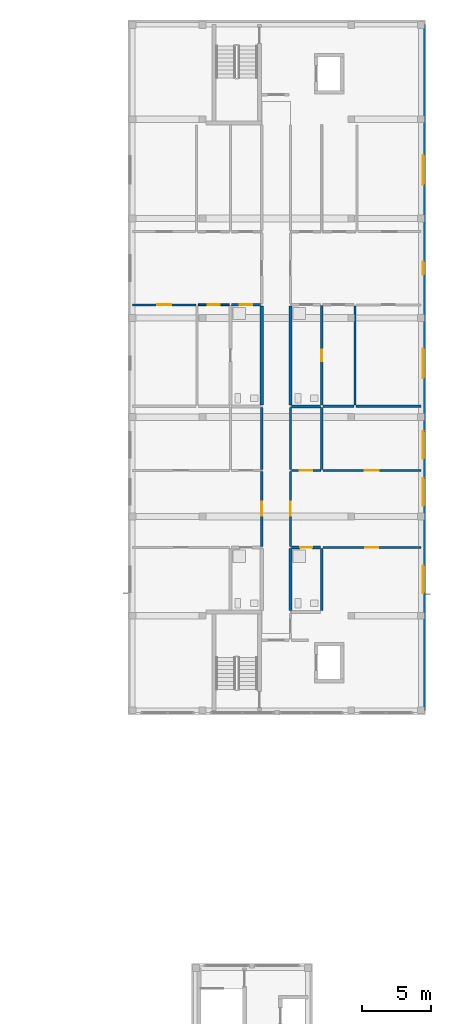
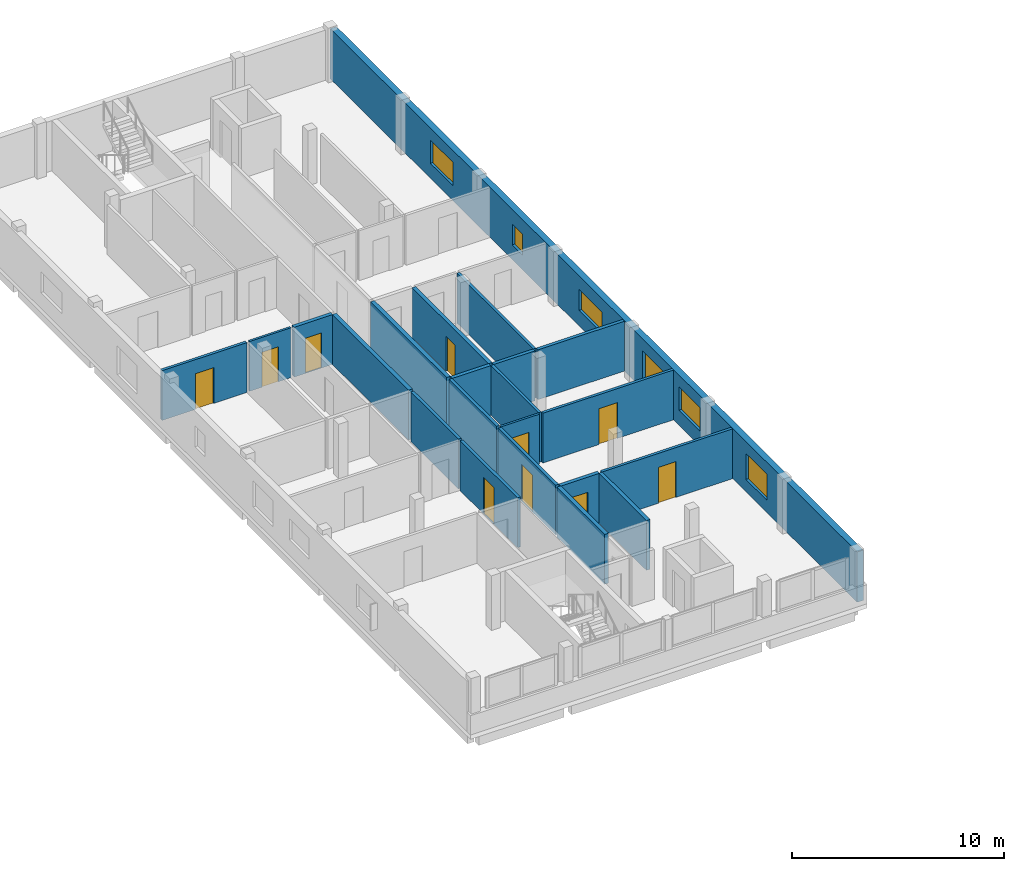
# One storey, part 17 of 28: 22 walls, 10 doors, 6 windows, 16 openings.
"""IFC4 building model written with IfcOpenShell, lengths in metres."""

from ifc_helpers import new_model, si_unit, derived_unit, direction, frame, frame_2d, origin, place, context, subcontext, project, spatial, rectangle, extrude, material, layer, layer_set, type_object, element, fill, save


model = new_model("IFC4")

# Units and contexts
model_context = context("Model", 3, precision=1e-05, world=origin(), true_north=direction((0.0, 1.0)))
body_context = subcontext(model_context, "Body", "Model", "MODEL_VIEW")
ifc_project = project(units=[si_unit("LENGTHUNIT", "METRE"), si_unit("AREAUNIT", "SQUARE_METRE"), si_unit("VOLUMEUNIT", "CUBIC_METRE"), si_unit("PLANEANGLEUNIT", "RADIAN"), si_unit("MASSUNIT", "GRAM", prefix="KILO"), derived_unit("THERMALTRANSMITTANCEUNIT", [(si_unit("MASSUNIT", "GRAM", prefix="KILO"), 1), (si_unit("TIMEUNIT", "SECOND"), -3), (si_unit("THERMODYNAMICTEMPERATUREUNIT", "KELVIN"), -1)])], contexts=[model_context])

# Site, building, storey
site_placement = place(None, origin())
site = spatial("IfcSite", under=ifc_project, at=site_placement, CompositionType="ELEMENT")
building_placement = place(site_placement, origin())
building = spatial("IfcBuilding", under=site, at=building_placement, Name="Ochrekiln Boulevard Commons", CompositionType="ELEMENT")
storey_placement = place(building_placement, frame((0.0, 0.0, 34.125)))
storey = spatial("IfcBuildingStorey", under=building, at=storey_placement, Name="L10", CompositionType="ELEMENT", Elevation=34.125)

# Wall, openings, windows
ifc_material_1 = material(Name="Iron-spot brown clinker brick masonry ASTM C216 Grade SW", Category="masonry")
ifc_layer_1 = layer(ifc_material_1, 0.340087890625)
ifc_layer_set_1 = layer_set([ifc_layer_1], Name="Iron-spot brown clinker brick masonry ASTM C216 Grade SW")
wall_type_1 = type_object("IfcWallType", Name="WL-EXT-IRON-340", PredefinedType="SOLIDWALL", material=ifc_layer_set_1)
wall_1_placement = place(storey_placement, frame((172.6298828125, 68.739990234375, 0.0), z_axis=(0.0, 0.0, 1.0), x_axis=(0.0, 1.0, 0.0)))
wall_1 = element("IfcWall", 1, at=wall_1_placement, inside=storey, type_object=wall_type_1, Name="Block B L10 E Exterior Wall", PredefinedType="SOLIDWALL", context=body_context, shape_type="SweptSolid", body=[
    extrude(rectangle(XDim=49.719970703125, YDim=0.340087890625, at=frame_2d((24.85986328125, 0.0))), origin(), (0.0, 0.0, 1.0), 2.889892578125),
])
opening_1_placement = place(wall_1_placement, frame((14.824951171875, 0.0, 0.85498046875)))
opening_1 = element("IfcOpeningElement", 2, at=opening_1_placement, cuts=wall_1, Name="Opening W-47", PredefinedType="OPENING", context=body_context, shape_type="SweptSolid", body=[
    extrude(rectangle(XDim=2.0, YDim=1.35009765625, at=frame_2d((1.0, 0.675048828125))), frame((0.0, 0.179931640625, 0.0), z_axis=(0.0, -1.0, 0.0), x_axis=(1.0, 0.0, 0.0)), (0.0, 0.0, 1.0), 0.360107421875),
])
opening_2_placement = place(wall_1_placement, frame((8.498046875, 0.0, 0.705078125)))
opening_2 = element("IfcOpeningElement", 3, at=opening_2_placement, cuts=wall_1, Name="Opening W-48", PredefinedType="OPENING", context=body_context, shape_type="SweptSolid", body=[
    extrude(rectangle(XDim=2.0, YDim=1.5, at=frame_2d((1.0, 0.75))), frame((0.0, 0.179931640625, 0.0), z_axis=(0.0, -1.0, 0.0), x_axis=(1.0, 0.0, 0.0)), (0.0, 0.0, 1.0), 0.360107421875),
])
opening_3_placement = place(wall_1_placement, frame((18.235107421875, 0.0, 0.554931640625)))
opening_3 = element("IfcOpeningElement", 4, at=opening_3_placement, cuts=wall_1, Name="Opening W-49", PredefinedType="OPENING", context=body_context, shape_type="SweptSolid", body=[
    extrude(rectangle(XDim=2.0, YDim=1.64990234375, at=frame_2d((1.0, 0.824951171875))), frame((0.0, 0.179931640625, 0.0), z_axis=(0.0, -1.0, 0.0), x_axis=(1.0, 0.0, 0.0)), (0.0, 0.0, 1.0), 0.360107421875),
])
opening_4_placement = place(wall_1_placement, frame((31.5849609375, 0.0, 0.85009765625)))
opening_4 = element("IfcOpeningElement", 5, at=opening_4_placement, cuts=wall_1, Name="Opening W-01", PredefinedType="OPENING", context=body_context, shape_type="SweptSolid", body=[
    extrude(rectangle(XDim=0.949951171875, YDim=1.199951171875, at=frame_2d((0.47509765625, 0.60009765625))), frame((0.0, 0.179931640625, 0.0), z_axis=(0.0, -1.0, 0.0), x_axis=(1.0, 0.0, 0.0)), (0.0, 0.0, 1.0), 0.360107421875),
])
opening_5_placement = place(wall_1_placement, frame((24.0869140625, 0.0, 0.89990234375)))
opening_5 = element("IfcOpeningElement", 6, at=opening_5_placement, cuts=wall_1, Name="Opening W-51", PredefinedType="OPENING", context=body_context, shape_type="SweptSolid", body=[
    extrude(rectangle(XDim=2.14990234375, YDim=1.199951171875, at=frame_2d((1.074951171875, 0.60009765625))), frame((0.0, 0.179931640625, 0.0), z_axis=(0.0, -1.0, 0.0), x_axis=(1.0, 0.0, 0.0)), (0.0, 0.0, 1.0), 0.360107421875),
])
opening_6_placement = place(wall_1_placement, frame((38.1201171875, 0.0, 0.85498046875)))
opening_6 = element("IfcOpeningElement", 7, at=opening_6_placement, cuts=wall_1, Name="Opening W-52", PredefinedType="OPENING", context=body_context, shape_type="SweptSolid", body=[
    extrude(rectangle(XDim=2.14990234375, YDim=1.35009765625, at=frame_2d((1.074951171875, 0.675048828125))), frame((0.0, 0.179931640625, 0.0), z_axis=(0.0, -1.0, 0.0), x_axis=(1.0, 0.0, 0.0)), (0.0, 0.0, 1.0), 0.360107421875),
])
ifc_material_2 = material(Name="Thermally broken aluminium-clad oak frame", Category="aluminium")
window_type_1 = type_object("IfcWindowType", Name="WIN-EXT-01", PartitioningType="SINGLE_PANEL", PredefinedType="WINDOW", material=ifc_material_2)
window_1_placement = place(opening_4_placement, origin())
window_1 = element("IfcWindow", 8, at=window_1_placement, inside=storey, type_object=window_type_1, Name="Block B L10 Punched Masonry Window W-01", OverallHeight=1.199951171875, OverallWidth=0.949951171875, PartitioningType="SINGLE_PANEL", PredefinedType="WINDOW", context=body_context, shape_type="SweptSolid", body=[
    extrude(rectangle(XDim=0.949951171875, YDim=1.199951171875, at=frame_2d((0.47509765625, 0.60009765625))), frame((0.0, 0.030029296875, 0.0), z_axis=(0.0, -1.0, 0.0), x_axis=(1.0, 0.0, 0.0)), (0.0, 0.0, 1.0), 0.06005859375),
])
fill(opening_4, window_1)
window_type_2 = type_object("IfcWindowType", Name="WIN-EXT-47", PartitioningType="DOUBLE_PANEL_VERTICAL", PredefinedType="WINDOW", material=ifc_material_2)
window_2_placement = place(opening_1_placement, origin())
window_2 = element("IfcWindow", 9, at=window_2_placement, inside=storey, type_object=window_type_2, Name="Block B L10 Punched Masonry Window W-47", OverallHeight=1.35009765625, OverallWidth=2.0, PartitioningType="DOUBLE_PANEL_VERTICAL", PredefinedType="WINDOW", context=body_context, shape_type="SweptSolid", body=[
    extrude(rectangle(XDim=2.0, YDim=1.35009765625, at=frame_2d((1.0, 0.675048828125))), frame((0.0, 0.030029296875, 0.0), z_axis=(0.0, -1.0, 0.0), x_axis=(1.0, 0.0, 0.0)), (0.0, 0.0, 1.0), 0.06005859375),
])
fill(opening_1, window_2)
window_type_3 = type_object("IfcWindowType", Name="WIN-EXT-48", PartitioningType="DOUBLE_PANEL_VERTICAL", PredefinedType="WINDOW", material=ifc_material_2)
window_3_placement = place(opening_2_placement, origin())
window_3 = element("IfcWindow", 10, at=window_3_placement, inside=storey, type_object=window_type_3, Name="Block B L10 Punched Masonry Window W-48", OverallHeight=1.5, OverallWidth=2.0, PartitioningType="DOUBLE_PANEL_VERTICAL", PredefinedType="WINDOW", context=body_context, shape_type="SweptSolid", body=[
    extrude(rectangle(XDim=2.0, YDim=1.5, at=frame_2d((1.0, 0.75))), frame((0.0, 0.030029296875, 0.0), z_axis=(0.0, -1.0, 0.0), x_axis=(1.0, 0.0, 0.0)), (0.0, 0.0, 1.0), 0.06005859375),
])
fill(opening_2, window_3)
window_type_4 = type_object("IfcWindowType", Name="WIN-EXT-49", PartitioningType="DOUBLE_PANEL_VERTICAL", PredefinedType="WINDOW", material=ifc_material_2)
window_4_placement = place(opening_3_placement, origin())
window_4 = element("IfcWindow", 11, at=window_4_placement, inside=storey, type_object=window_type_4, Name="Block B L10 Punched Masonry Window W-49", OverallHeight=1.64990234375, OverallWidth=2.0, PartitioningType="DOUBLE_PANEL_VERTICAL", PredefinedType="WINDOW", context=body_context, shape_type="SweptSolid", body=[
    extrude(rectangle(XDim=2.0, YDim=1.64990234375, at=frame_2d((1.0, 0.824951171875))), frame((0.0, 0.030029296875, 0.0), z_axis=(0.0, -1.0, 0.0), x_axis=(1.0, 0.0, 0.0)), (0.0, 0.0, 1.0), 0.06005859375),
])
fill(opening_3, window_4)
window_type_5 = type_object("IfcWindowType", Name="WIN-EXT-51", PartitioningType="DOUBLE_PANEL_VERTICAL", PredefinedType="WINDOW", material=ifc_material_2)
window_5_placement = place(opening_5_placement, origin())
window_5 = element("IfcWindow", 12, at=window_5_placement, inside=storey, type_object=window_type_5, Name="Block B L10 Punched Masonry Window W-51", OverallHeight=1.199951171875, OverallWidth=2.14990234375, PartitioningType="DOUBLE_PANEL_VERTICAL", PredefinedType="WINDOW", context=body_context, shape_type="SweptSolid", body=[
    extrude(rectangle(XDim=2.14990234375, YDim=1.199951171875, at=frame_2d((1.074951171875, 0.60009765625))), frame((0.0, 0.030029296875, 0.0), z_axis=(0.0, -1.0, 0.0), x_axis=(1.0, 0.0, 0.0)), (0.0, 0.0, 1.0), 0.06005859375),
])
fill(opening_5, window_5)
window_type_6 = type_object("IfcWindowType", Name="WIN-EXT-52", PartitioningType="DOUBLE_PANEL_VERTICAL", PredefinedType="WINDOW", material=ifc_material_2)
window_6_placement = place(opening_6_placement, origin())
window_6 = element("IfcWindow", 13, at=window_6_placement, inside=storey, type_object=window_type_6, Name="Block B L10 Punched Masonry Window W-52", OverallHeight=1.35009765625, OverallWidth=2.14990234375, PartitioningType="DOUBLE_PANEL_VERTICAL", PredefinedType="WINDOW", context=body_context, shape_type="SweptSolid", body=[
    extrude(rectangle(XDim=2.14990234375, YDim=1.35009765625, at=frame_2d((1.074951171875, 0.675048828125))), frame((0.0, 0.030029296875, 0.0), z_axis=(0.0, -1.0, 0.0), x_axis=(1.0, 0.0, 0.0)), (0.0, 0.0, 1.0), 0.06005859375),
])
fill(opening_6, window_6)

# Wall, opening, door
ifc_material_3 = material(Name="Moisture-resistant cementitious tile backer wall")
ifc_layer_2 = layer(ifc_material_3, 0.199951171875)
ifc_layer_set_2 = layer_set([ifc_layer_2], Name="Moisture-resistant cementitious tile backer wall")
wall_type_2 = type_object("IfcWallType", Name="WL-PLM-200", PredefinedType="PLUMBINGWALL", material=ifc_layer_set_2)
wall_2_placement = place(storey_placement, frame((158.719970703125, 98.14990234375, 0.0), z_axis=(0.0, 0.0, 1.0), x_axis=(1.0, 0.0, 0.0)))
wall_2 = element("IfcWall", 14, at=wall_2_placement, inside=storey, type_object=wall_type_2, Name="L10 Interior Wall W-PW200", PredefinedType="PLUMBINGWALL", context=body_context, shape_type="SweptSolid", body=[
    extrude(rectangle(XDim=2.10693359375, YDim=0.199951171875, at=frame_2d((1.053466796875, 0.0))), origin(), (0.0, 0.0, 1.0), 2.8701171875),
])
opening_7_placement = place(wall_2_placement, frame((0.60498046875, 0.0, 0.0)))
opening_7 = element("IfcOpeningElement", 15, at=opening_7_placement, cuts=wall_2, Name="Opening D-L10-1206", PredefinedType="OPENING", context=body_context, shape_type="SweptSolid", body=[
    extrude(rectangle(XDim=0.889892578125, YDim=2.030029296875, at=frame_2d((0.44482421875, 1.01513671875))), frame((0.0, 0.10986328125, 0.0), z_axis=(0.0, -1.0, 0.0), x_axis=(1.0, 0.0, 0.0)), (0.0, 0.0, 1.0), 0.219970703125),
])
ifc_material_4 = material(Name="Solid core architectural oak door leaf")
door_type_1 = type_object("IfcDoorType", Name="DR-INT-BTH-089", OperationType="NOTDEFINED", PredefinedType="DOOR", material=ifc_material_4)
door_1_placement = place(opening_7_placement, frame((0.889892578125, 0.0, 0.0), z_axis=(0.0, 0.0, 1.0), x_axis=(-1.0, 0.0, 0.0)))
door_1 = element("IfcDoor", 16, at=door_1_placement, inside=storey, type_object=door_type_1, Name="L10 Interior Door to Apartment Bathroom", OperationType="SINGLE_SWING_RIGHT", OverallHeight=2.030029296875, OverallWidth=0.889892578125, PredefinedType="DOOR", context=body_context, shape_type="SweptSolid", body=[
    extrude(rectangle(XDim=0.889892578125, YDim=2.030029296875, at=frame_2d((0.44482421875, 1.01513671875))), frame((0.0, 0.02490234375, 0.0), z_axis=(0.0, -1.0, 0.0), x_axis=(1.0, 0.0, 0.0)), (0.0, 0.0, 1.0), 0.050048828125),
])
fill(opening_7, door_1)

wall_3_placement = place(storey_placement, frame((163.072998046875, 80.554931640625, 0.0), z_axis=(0.0, 0.0, 1.0), x_axis=(1.0, 0.0, 0.0)))
wall_3 = element("IfcWall", 17, at=wall_3_placement, inside=storey, type_object=wall_type_2, Name="L10 Interior Wall W-PW200", PredefinedType="PLUMBINGWALL", context=body_context, shape_type="SweptSolid", body=[
    extrude(rectangle(XDim=2.10693359375, YDim=0.199951171875, at=frame_2d((1.053466796875, 0.0))), origin(), (0.0, 0.0, 1.0), 2.8701171875),
])
opening_8_placement = place(wall_3_placement, frame((0.626953125, 0.0, 0.0)))
opening_8 = element("IfcOpeningElement", 18, at=opening_8_placement, cuts=wall_3, Name="Opening D-L10-1213", PredefinedType="OPENING", context=body_context, shape_type="SweptSolid", body=[
    extrude(rectangle(XDim=0.860107421875, YDim=2.0, at=frame_2d((0.43017578125, 1.0))), frame((0.0, 0.10986328125, 0.0), z_axis=(0.0, -1.0, 0.0), x_axis=(1.0, 0.0, 0.0)), (0.0, 0.0, 1.0), 0.219970703125),
])
door_type_2 = type_object("IfcDoorType", Name="DR-INT-BTH-086", OperationType="NOTDEFINED", PredefinedType="DOOR", material=ifc_material_4)
door_2_placement = place(opening_8_placement, frame((0.860107421875, 0.0, 0.0), z_axis=(0.0, 0.0, 1.0), x_axis=(-1.0, 0.0, 0.0)))
door_2 = element("IfcDoor", 19, at=door_2_placement, inside=storey, type_object=door_type_2, Name="L10 Interior Door to Apartment Bathroom", OperationType="SINGLE_SWING_LEFT", OverallHeight=2.0, OverallWidth=0.860107421875, PredefinedType="DOOR", context=body_context, shape_type="SweptSolid", body=[
    extrude(rectangle(XDim=0.860107421875, YDim=2.0, at=frame_2d((0.43017578125, 1.0))), frame((0.0, 0.02490234375, 0.0), z_axis=(0.0, -1.0, 0.0), x_axis=(1.0, 0.0, 0.0)), (0.0, 0.0, 1.0), 0.050048828125),
])
fill(opening_8, door_2)

# Walls
wall_4_placement = place(storey_placement, frame((165.260009765625, 75.97509765625, 0.0), z_axis=(0.0, 0.0, 1.0), x_axis=(0.0, 1.0, 0.0)))
element("IfcWall", 20, at=wall_4_placement, inside=storey, type_object=wall_type_2, Name="L10 Interior Wall W-PW200", PredefinedType="PLUMBINGWALL", context=body_context, shape_type="SweptSolid", body=[
    extrude(rectangle(XDim=4.5048828125, YDim=0.199951171875, at=frame_2d((2.25244140625, 0.0))), origin(), (0.0, 0.0, 1.0), 2.8701171875),
])
wall_5_placement = place(storey_placement, frame((163.072998046875, 90.783935546875, 0.0), z_axis=(0.0, 0.0, 1.0), x_axis=(1.0, 0.0, 0.0)))
element("IfcWall", 21, at=wall_5_placement, inside=storey, type_object=wall_type_2, Name="L10 Interior Wall W-PW200", PredefinedType="PLUMBINGWALL", context=body_context, shape_type="SweptSolid", body=[
    extrude(rectangle(XDim=2.10693359375, YDim=0.199951171875, at=frame_2d((1.053466796875, 0.0))), origin(), (0.0, 0.0, 1.0), 2.8701171875),
])

# Wall, opening, door
wall_6_placement = place(storey_placement, frame((165.260009765625, 90.8740234375, 0.0), z_axis=(0.0, 0.0, 1.0), x_axis=(0.0, 1.0, 0.0)))
wall_6 = element("IfcWall", 22, at=wall_6_placement, inside=storey, type_object=wall_type_2, Name="L10 Interior Wall W-PW200", PredefinedType="PLUMBINGWALL", context=body_context, shape_type="SweptSolid", body=[
    extrude(rectangle(XDim=7.216064453125, YDim=0.199951171875, at=frame_2d((3.60791015625, 0.0))), origin(), (0.0, 0.0, 1.0), 2.8701171875),
])
opening_9_placement = place(wall_6_placement, frame((3.173095703125, 0.0, 0.0)))
opening_9 = element("IfcOpeningElement", 23, at=opening_9_placement, cuts=wall_6, Name="Opening D-L10-1223", PredefinedType="OPENING", context=body_context, shape_type="SweptSolid", body=[
    extrude(rectangle(XDim=0.85009765625, YDim=2.010009765625, at=frame_2d((0.425048828125, 1.0048828125))), frame((0.0, 0.10986328125, 0.0), z_axis=(0.0, -1.0, 0.0), x_axis=(1.0, 0.0, 0.0)), (0.0, 0.0, 1.0), 0.219970703125),
])
door_type_3 = type_object("IfcDoorType", Name="DR-INT-KIT-085", OperationType="NOTDEFINED", PredefinedType="DOOR", material=ifc_material_4)
door_3_placement = place(opening_9_placement, origin())
door_3 = element("IfcDoor", 24, at=door_3_placement, inside=storey, type_object=door_type_3, Name="L10 Interior Door to Apartment Bathroom", OperationType="SINGLE_SWING_LEFT", OverallHeight=2.010009765625, OverallWidth=0.85009765625, PredefinedType="DOOR", context=body_context, shape_type="SweptSolid", body=[
    extrude(rectangle(XDim=0.85009765625, YDim=2.010009765625, at=frame_2d((0.425048828125, 1.0048828125))), frame((0.0, 0.02490234375, 0.0), z_axis=(0.0, -1.0, 0.0), x_axis=(1.0, 0.0, 0.0)), (0.0, 0.0, 1.0), 0.050048828125),
])
fill(opening_9, door_3)

# Walls
ifc_layer_3 = layer(ifc_material_3, 0.219970703125)
ifc_layer_set_3 = layer_set([ifc_layer_3], Name="Moisture-resistant cementitious tile backer wall")
wall_type_3 = type_object("IfcWallType", Name="WL-PLM-220", PredefinedType="PLUMBINGWALL", material=ifc_layer_set_3)
wall_7_placement = place(storey_placement, frame((160.909912109375, 90.8740234375, 0.0), z_axis=(0.0, 0.0, 1.0), x_axis=(0.0, 1.0, 0.0)))
element("IfcWall", 25, at=wall_7_placement, inside=storey, type_object=wall_type_3, Name="L10 Interior Wall W-PW220", PredefinedType="PLUMBINGWALL", context=body_context, shape_type="SweptSolid", body=[
    extrude(rectangle(XDim=7.196044921875, YDim=0.219970703125, at=frame_2d((3.59814453125, 0.0))), origin(), (0.0, 0.0, 1.0), 2.8701171875),
])
wall_8_placement = place(storey_placement, frame((162.989990234375, 75.97509765625, 0.0), z_axis=(0.0, 0.0, 1.0), x_axis=(0.0, 1.0, 0.0)))
element("IfcWall", 26, at=wall_8_placement, inside=storey, type_object=wall_type_3, Name="L10 Interior Wall W-PW220", PredefinedType="PLUMBINGWALL", context=body_context, shape_type="SweptSolid", body=[
    extrude(rectangle(XDim=4.5, YDim=0.219970703125, at=frame_2d((2.25, 0.0))), origin(), (0.0, 0.0, 1.0), 2.8701171875),
])
wall_9_placement = place(storey_placement, frame((162.989990234375, 90.8740234375, 0.0), z_axis=(0.0, 0.0, 1.0), x_axis=(0.0, 1.0, 0.0)))
element("IfcWall", 27, at=wall_9_placement, inside=storey, type_object=wall_type_3, Name="L10 Interior Wall W-PW220", PredefinedType="PLUMBINGWALL", context=body_context, shape_type="SweptSolid", body=[
    extrude(rectangle(XDim=7.196044921875, YDim=0.219970703125, at=frame_2d((3.59814453125, 0.0))), origin(), (0.0, 0.0, 1.0), 2.8701171875),
])

# Wall, opening, door
ifc_material_5 = material(Name="Fire-rated Type X gypsum board on steel studs", Category="steel")
ifc_layer_4 = layer(ifc_material_5, 0.1650390625)
ifc_layer_set_4 = layer_set([ifc_layer_4], Name="Fire-rated Type X gypsum board on steel studs")
wall_type_4 = type_object("IfcWallType", Name="WL-PT-CORR-165", PredefinedType="PARTITIONING", material=ifc_layer_set_4)
wall_10_placement = place(storey_placement, frame((160.909912109375, 80.635009765625, 0.0), z_axis=(0.0, 0.0, 1.0), x_axis=(0.0, 1.0, 0.0)))
wall_10 = element("IfcWall", 28, at=wall_10_placement, inside=storey, type_object=wall_type_4, Name="L10 Interior Wall W-PC165", PredefinedType="PARTITIONING", context=body_context, shape_type="SweptSolid", body=[
    extrude(rectangle(XDim=5.424072265625, YDim=0.1650390625, at=frame_2d((2.7119140625, 0.0))), origin(), (0.0, 0.0, 1.0), 2.8701171875),
])
opening_10_placement = place(wall_10_placement, frame((2.20703125, 0.0, 0.0)))
opening_10 = element("IfcOpeningElement", 29, at=opening_10_placement, cuts=wall_10, Name="Opening D-L10-1198", PredefinedType="OPENING", context=body_context, shape_type="SweptSolid", body=[
    extrude(rectangle(XDim=1.010009765625, YDim=2.110107421875, at=frame_2d((0.5048828125, 1.05517578125))), frame((0.0, 0.092529296875, 0.0), z_axis=(0.0, -1.0, 0.0), x_axis=(1.0, 0.0, 0.0)), (0.0, 0.0, 1.0), 0.18505859375),
])
door_type_4 = type_object("IfcDoorType", Name="DR-INT-APT-101", OperationType="NOTDEFINED", PredefinedType="DOOR", material=ifc_material_4)
door_4_placement = place(opening_10_placement, origin())
door_4 = element("IfcDoor", 30, at=door_4_placement, inside=storey, type_object=door_type_4, Name="L10 Interior Door to Two-Bedroom Apartment Living Room", OperationType="SINGLE_SWING_RIGHT", OverallHeight=2.110107421875, OverallWidth=1.010009765625, PredefinedType="DOOR", context=body_context, shape_type="SweptSolid", body=[
    extrude(rectangle(XDim=1.010009765625, YDim=2.110107421875, at=frame_2d((0.5048828125, 1.05517578125))), frame((0.0, 0.02490234375, 0.0), z_axis=(0.0, -1.0, 0.0), x_axis=(1.0, 0.0, 0.0)), (0.0, 0.0, 1.0), 0.050048828125),
])
fill(opening_10, door_4)

# Wall
wall_11_placement = place(storey_placement, frame((160.909912109375, 86.218994140625, 0.0), z_axis=(0.0, 0.0, 1.0), x_axis=(0.0, 1.0, 0.0)))
element("IfcWall", 31, at=wall_11_placement, inside=storey, type_object=wall_type_4, Name="L10 Interior Wall W-PC165", PredefinedType="PARTITIONING", context=body_context, shape_type="SweptSolid", body=[
    extrude(rectangle(XDim=4.47509765625, YDim=0.1650390625, at=frame_2d((2.237548828125, 0.0))), origin(), (0.0, 0.0, 1.0), 2.8701171875),
])

# Wall, opening, door
wall_12_placement = place(storey_placement, frame((162.989990234375, 80.635009765625, 0.0), z_axis=(0.0, 0.0, 1.0), x_axis=(0.0, 1.0, 0.0)))
wall_12 = element("IfcWall", 32, at=wall_12_placement, inside=storey, type_object=wall_type_4, Name="L10 Interior Wall W-PC165", PredefinedType="PARTITIONING", context=body_context, shape_type="SweptSolid", body=[
    extrude(rectangle(XDim=5.424072265625, YDim=0.1650390625, at=frame_2d((2.7119140625, 0.0))), origin(), (0.0, 0.0, 1.0), 2.8701171875),
])
opening_11_placement = place(wall_12_placement, frame((2.20703125, 0.0, 0.0)))
opening_11 = element("IfcOpeningElement", 33, at=opening_11_placement, cuts=wall_12, Name="Opening D-L10-1200", PredefinedType="OPENING", context=body_context, shape_type="SweptSolid", body=[
    extrude(rectangle(XDim=1.010009765625, YDim=2.110107421875, at=frame_2d((0.5048828125, 1.05517578125))), frame((0.0, 0.092529296875, 0.0), z_axis=(0.0, -1.0, 0.0), x_axis=(1.0, 0.0, 0.0)), (0.0, 0.0, 1.0), 0.18505859375),
])
door_5_placement = place(opening_11_placement, frame((1.010009765625, 0.0, 0.0), z_axis=(0.0, 0.0, 1.0), x_axis=(-1.0, 0.0, 0.0)))
door_5 = element("IfcDoor", 34, at=door_5_placement, inside=storey, type_object=door_type_4, Name="L10 Interior Door to Two-Bedroom Apartment Living Room", OperationType="SINGLE_SWING_RIGHT", OverallHeight=2.110107421875, OverallWidth=1.010009765625, PredefinedType="DOOR", context=body_context, shape_type="SweptSolid", body=[
    extrude(rectangle(XDim=1.010009765625, YDim=2.110107421875, at=frame_2d((0.5048828125, 1.05517578125))), frame((0.0, 0.02490234375, 0.0), z_axis=(0.0, -1.0, 0.0), x_axis=(1.0, 0.0, 0.0)), (0.0, 0.0, 1.0), 0.050048828125),
])
fill(opening_11, door_5)

# Walls
wall_13_placement = place(storey_placement, frame((162.989990234375, 86.218994140625, 0.0), z_axis=(0.0, 0.0, 1.0), x_axis=(0.0, 1.0, 0.0)))
element("IfcWall", 35, at=wall_13_placement, inside=storey, type_object=wall_type_4, Name="L10 Interior Wall W-PC165", PredefinedType="PARTITIONING", context=body_context, shape_type="SweptSolid", body=[
    extrude(rectangle(XDim=4.47509765625, YDim=0.1650390625, at=frame_2d((2.237548828125, 0.0))), origin(), (0.0, 0.0, 1.0), 2.8701171875),
])
ifc_layer_5 = layer(ifc_material_5, 0.179931640625)
ifc_layer_set_5 = layer_set([ifc_layer_5], Name="Fire-rated Type X gypsum board on steel studs")
wall_type_5 = type_object("IfcWallType", Name="WL-PT-DEM-180", PredefinedType="PARTITIONING", material=ifc_layer_set_5)
wall_14_placement = place(storey_placement, frame((167.75, 90.783935546875, 0.0), z_axis=(0.0, 0.0, 1.0), x_axis=(1.0, 0.0, 0.0)))
element("IfcWall", 36, at=wall_14_placement, inside=storey, type_object=wall_type_5, Name="L10 Interior Wall W-PD180", PredefinedType="PARTITIONING", context=body_context, shape_type="SweptSolid", body=[
    extrude(rectangle(XDim=4.7099609375, YDim=0.179931640625, at=frame_2d((2.35498046875, 0.0))), origin(), (0.0, 0.0, 1.0), 2.8701171875),
])
wall_15_placement = place(storey_placement, frame((165.3349609375, 90.783935546875, 0.0), z_axis=(0.0, 0.0, 1.0), x_axis=(1.0, 0.0, 0.0)))
element("IfcWall", 37, at=wall_15_placement, inside=storey, type_object=wall_type_5, Name="L10 Interior Wall W-PD180", PredefinedType="PARTITIONING", context=body_context, shape_type="SweptSolid", body=[
    extrude(rectangle(XDim=2.255126953125, YDim=0.179931640625, at=frame_2d((1.12744140625, 0.0))), origin(), (0.0, 0.0, 1.0), 2.8701171875),
])

# Wall, opening, door
ifc_layer_6 = layer(ifc_material_5, 0.1201171875)
ifc_layer_set_6 = layer_set([ifc_layer_6], Name="Fire-rated Type X gypsum board on steel studs")
wall_type_6 = type_object("IfcWallType", Name="WL-PT-LGT-120", PredefinedType="PARTITIONING", material=ifc_layer_set_6)
wall_16_placement = place(storey_placement, frame((156.31005859375, 98.14990234375, 0.0), z_axis=(0.0, 0.0, 1.0), x_axis=(1.0, 0.0, 0.0)))
wall_16 = element("IfcWall", 38, at=wall_16_placement, inside=storey, type_object=wall_type_6, Name="L10 Interior Wall W-PL120", PredefinedType="PARTITIONING", context=body_context, shape_type="SweptSolid", body=[
    extrude(rectangle(XDim=2.25, YDim=0.1201171875, at=frame_2d((1.125, 0.0))), origin(), (0.0, 0.0, 1.0), 2.8701171875),
])
opening_12_placement = place(wall_16_placement, frame((0.68505859375, 0.0, 0.0)))
opening_12 = element("IfcOpeningElement", 39, at=opening_12_placement, cuts=wall_16, Name="Opening D-L10-1209", PredefinedType="OPENING", context=body_context, shape_type="SweptSolid", body=[
    extrude(rectangle(XDim=0.8798828125, YDim=2.02001953125, at=frame_2d((0.43994140625, 1.010009765625))), frame((0.0, 0.070068359375, 0.0), z_axis=(0.0, -1.0, 0.0), x_axis=(1.0, 0.0, 0.0)), (0.0, 0.0, 1.0), 0.14013671875),
])
door_type_5 = type_object("IfcDoorType", Name="DR-INT-KIT-088", OperationType="NOTDEFINED", PredefinedType="DOOR", material=ifc_material_4)
door_6_placement = place(opening_12_placement, frame((0.8798828125, 0.0, 0.0), z_axis=(0.0, 0.0, 1.0), x_axis=(-1.0, 0.0, 0.0)))
door_6 = element("IfcDoor", 40, at=door_6_placement, inside=storey, type_object=door_type_5, Name="L10 Interior Door to Apartment Walk-In Wardrobe", OperationType="SINGLE_SWING_LEFT", OverallHeight=2.02001953125, OverallWidth=0.8798828125, PredefinedType="DOOR", context=body_context, shape_type="SweptSolid", body=[
    extrude(rectangle(XDim=0.8798828125, YDim=2.02001953125, at=frame_2d((0.43994140625, 1.010009765625))), frame((0.0, 0.02490234375, 0.0), z_axis=(0.0, -1.0, 0.0), x_axis=(1.0, 0.0, 0.0)), (0.0, 0.0, 1.0), 0.050048828125),
])
fill(opening_12, door_6)

wall_17_placement = place(storey_placement, frame((163.072998046875, 86.138916015625, 0.0), z_axis=(0.0, 0.0, 1.0), x_axis=(1.0, 0.0, 0.0)))
wall_17 = element("IfcWall", 41, at=wall_17_placement, inside=storey, type_object=wall_type_6, Name="L10 Interior Wall W-PL120", PredefinedType="PARTITIONING", context=body_context, shape_type="SweptSolid", body=[
    extrude(rectangle(XDim=2.10693359375, YDim=0.1201171875, at=frame_2d((1.053466796875, 0.0))), origin(), (0.0, 0.0, 1.0), 2.8701171875),
])
opening_13_placement = place(wall_17_placement, frame((0.596923828125, 0.0, 0.0)))
opening_13 = element("IfcOpeningElement", 42, at=opening_13_placement, cuts=wall_17, Name="Opening D-L10-1214", PredefinedType="OPENING", context=body_context, shape_type="SweptSolid", body=[
    extrude(rectangle(XDim=0.919921875, YDim=2.02001953125, at=frame_2d((0.4599609375, 1.010009765625))), frame((0.0, 0.070068359375, 0.0), z_axis=(0.0, -1.0, 0.0), x_axis=(1.0, 0.0, 0.0)), (0.0, 0.0, 1.0), 0.14013671875),
])
door_type_6 = type_object("IfcDoorType", Name="DR-INT-KIT-092", OperationType="NOTDEFINED", PredefinedType="DOOR", material=ifc_material_4)
door_7_placement = place(opening_13_placement, origin())
door_7 = element("IfcDoor", 43, at=door_7_placement, inside=storey, type_object=door_type_6, Name="L10 Interior Door to Apartment Kitchen", OperationType="SINGLE_SWING_RIGHT", OverallHeight=2.02001953125, OverallWidth=0.919921875, PredefinedType="DOOR", context=body_context, shape_type="SweptSolid", body=[
    extrude(rectangle(XDim=0.919921875, YDim=2.02001953125, at=frame_2d((0.4599609375, 1.010009765625))), frame((0.0, 0.02490234375, 0.0), z_axis=(0.0, -1.0, 0.0), x_axis=(1.0, 0.0, 0.0)), (0.0, 0.0, 1.0), 0.050048828125),
])
fill(opening_13, door_7)

ifc_layer_7 = layer(ifc_material_5, 0.14990234375)
ifc_layer_set_7 = layer_set([ifc_layer_7], Name="Fire-rated Type X gypsum board on steel studs")
wall_type_7 = type_object("IfcWallType", Name="WL-PT-STD-150", PredefinedType="PARTITIONING", material=ifc_layer_set_7)
wall_18_placement = place(storey_placement, frame((151.5400390625, 98.14990234375, 0.0), z_axis=(0.0, 0.0, 1.0), x_axis=(1.0, 0.0, 0.0)))
wall_18 = element("IfcWall", 44, at=wall_18_placement, inside=storey, type_object=wall_type_7, Name="L10 Interior Wall W-PS150", PredefinedType="PARTITIONING", context=body_context, shape_type="SweptSolid", body=[
    extrude(rectangle(XDim=4.60986328125, YDim=0.14990234375, at=frame_2d((2.304931640625, 0.0))), origin(), (0.0, 0.0, 1.0), 2.8701171875),
])
opening_14_placement = place(wall_18_placement, frame((1.81005859375, 0.0, 0.0)))
opening_14 = element("IfcOpeningElement", 45, at=opening_14_placement, cuts=wall_18, Name="Opening D-L10-1208", PredefinedType="OPENING", context=body_context, shape_type="SweptSolid", body=[
    extrude(rectangle(XDim=1.0, YDim=2.06005859375, at=frame_2d((0.5, 1.030029296875))), frame((0.0, 0.0849609375, 0.0), z_axis=(0.0, -1.0, 0.0), x_axis=(1.0, 0.0, 0.0)), (0.0, 0.0, 1.0), 0.169921875),
])
door_type_7 = type_object("IfcDoorType", Name="DR-INT-BED-100", OperationType="NOTDEFINED", PredefinedType="DOOR", material=ifc_material_4)
door_8_placement = place(opening_14_placement, frame((1.0, 0.0, 0.0), z_axis=(0.0, 0.0, 1.0), x_axis=(-1.0, 0.0, 0.0)))
door_8 = element("IfcDoor", 46, at=door_8_placement, inside=storey, type_object=door_type_7, Name="L10 Interior Door to Primary Apartment Bedroom", OperationType="SINGLE_SWING_RIGHT", OverallHeight=2.06005859375, OverallWidth=1.0, PredefinedType="DOOR", context=body_context, shape_type="SweptSolid", body=[
    extrude(rectangle(XDim=1.0, YDim=2.06005859375, at=frame_2d((0.5, 1.030029296875))), frame((0.0, 0.02490234375, 0.0), z_axis=(0.0, -1.0, 0.0), x_axis=(1.0, 0.0, 0.0)), (0.0, 0.0, 1.0), 0.050048828125),
])
fill(opening_14, door_8)

wall_19_placement = place(storey_placement, frame((165.340087890625, 80.554931640625, 0.0), z_axis=(0.0, 0.0, 1.0), x_axis=(1.0, 0.0, 0.0)))
wall_19 = element("IfcWall", 47, at=wall_19_placement, inside=storey, type_object=wall_type_7, Name="L10 Interior Wall W-PS150", PredefinedType="PARTITIONING", context=body_context, shape_type="SweptSolid", body=[
    extrude(rectangle(XDim=7.119873046875, YDim=0.14990234375, at=frame_2d((3.56005859375, 0.0))), origin(), (0.0, 0.0, 1.0), 2.8701171875),
])
opening_15_placement = place(wall_19_placement, frame((3.0849609375, 0.0, 0.0)))
opening_15 = element("IfcOpeningElement", 48, at=opening_15_placement, cuts=wall_19, Name="Opening D-L10-1215", PredefinedType="OPENING", context=body_context, shape_type="SweptSolid", body=[
    extrude(rectangle(XDim=0.93994140625, YDim=2.06005859375, at=frame_2d((0.469970703125, 1.030029296875))), frame((0.0, 0.0849609375, 0.0), z_axis=(0.0, -1.0, 0.0), x_axis=(1.0, 0.0, 0.0)), (0.0, 0.0, 1.0), 0.169921875),
])
door_type_8 = type_object("IfcDoorType", Name="DR-INT-BED-094", OperationType="NOTDEFINED", PredefinedType="DOOR", material=ifc_material_4)
door_9_placement = place(opening_15_placement, frame((0.93994140625, 0.0, 0.0), z_axis=(0.0, 0.0, 1.0), x_axis=(-1.0, 0.0, 0.0)))
door_9 = element("IfcDoor", 49, at=door_9_placement, inside=storey, type_object=door_type_8, Name="L10 Interior Door to Primary Apartment Bedroom", OperationType="SINGLE_SWING_LEFT", OverallHeight=2.06005859375, OverallWidth=0.93994140625, PredefinedType="DOOR", context=body_context, shape_type="SweptSolid", body=[
    extrude(rectangle(XDim=0.93994140625, YDim=2.06005859375, at=frame_2d((0.469970703125, 1.030029296875))), frame((0.0, 0.02490234375, 0.0), z_axis=(0.0, -1.0, 0.0), x_axis=(1.0, 0.0, 0.0)), (0.0, 0.0, 1.0), 0.050048828125),
])
fill(opening_15, door_9)

wall_20_placement = place(storey_placement, frame((165.340087890625, 86.138916015625, 0.0), z_axis=(0.0, 0.0, 1.0), x_axis=(1.0, 0.0, 0.0)))
wall_20 = element("IfcWall", 50, at=wall_20_placement, inside=storey, type_object=wall_type_7, Name="L10 Interior Wall W-PS150", PredefinedType="PARTITIONING", context=body_context, shape_type="SweptSolid", body=[
    extrude(rectangle(XDim=7.119873046875, YDim=0.14990234375, at=frame_2d((3.56005859375, 0.0))), origin(), (0.0, 0.0, 1.0), 2.8701171875),
])
opening_16_placement = place(wall_20_placement, frame((3.054931640625, 0.0, 0.0)))
opening_16 = element("IfcOpeningElement", 51, at=opening_16_placement, cuts=wall_20, Name="Opening D-L10-1216", PredefinedType="OPENING", context=body_context, shape_type="SweptSolid", body=[
    extrude(rectangle(XDim=1.0, YDim=2.06005859375, at=frame_2d((0.5, 1.030029296875))), frame((0.0, 0.0849609375, 0.0), z_axis=(0.0, -1.0, 0.0), x_axis=(1.0, 0.0, 0.0)), (0.0, 0.0, 1.0), 0.169921875),
])
door_10_placement = place(opening_16_placement, origin())
door_10 = element("IfcDoor", 52, at=door_10_placement, inside=storey, type_object=door_type_7, Name="L10 Interior Door to Secondary Apartment Bedroom", OperationType="SINGLE_SWING_RIGHT", OverallHeight=2.06005859375, OverallWidth=1.0, PredefinedType="DOOR", context=body_context, shape_type="SweptSolid", body=[
    extrude(rectangle(XDim=1.0, YDim=2.06005859375, at=frame_2d((0.5, 1.030029296875))), frame((0.0, 0.02490234375, 0.0), z_axis=(0.0, -1.0, 0.0), x_axis=(1.0, 0.0, 0.0)), (0.0, 0.0, 1.0), 0.050048828125),
])
fill(opening_16, door_10)

# Walls
wall_21_placement = place(storey_placement, frame((165.260009765625, 86.198974609375, 0.0), z_axis=(0.0, 0.0, 1.0), x_axis=(0.0, 1.0, 0.0)))
element("IfcWall", 53, at=wall_21_placement, inside=storey, type_object=wall_type_7, Name="L10 Interior Wall W-PS150", PredefinedType="PARTITIONING", context=body_context, shape_type="SweptSolid", body=[
    extrude(rectangle(XDim=4.4951171875, YDim=0.14990234375, at=frame_2d((2.24755859375, 0.0))), origin(), (0.0, 0.0, 1.0), 2.8701171875),
])
wall_22_placement = place(storey_placement, frame((167.669921875, 90.8740234375, 0.0), z_axis=(0.0, 0.0, 1.0), x_axis=(0.0, 1.0, 0.0)))
element("IfcWall", 54, at=wall_22_placement, inside=storey, type_object=wall_type_7, Name="L10 Interior Wall W-PS150", PredefinedType="PARTITIONING", context=body_context, shape_type="SweptSolid", body=[
    extrude(rectangle(XDim=7.200927734375, YDim=0.14990234375, at=frame_2d((3.6005859375, 0.0))), origin(), (0.0, 0.0, 1.0), 2.8701171875),
])

save(model, "model.ifc")
